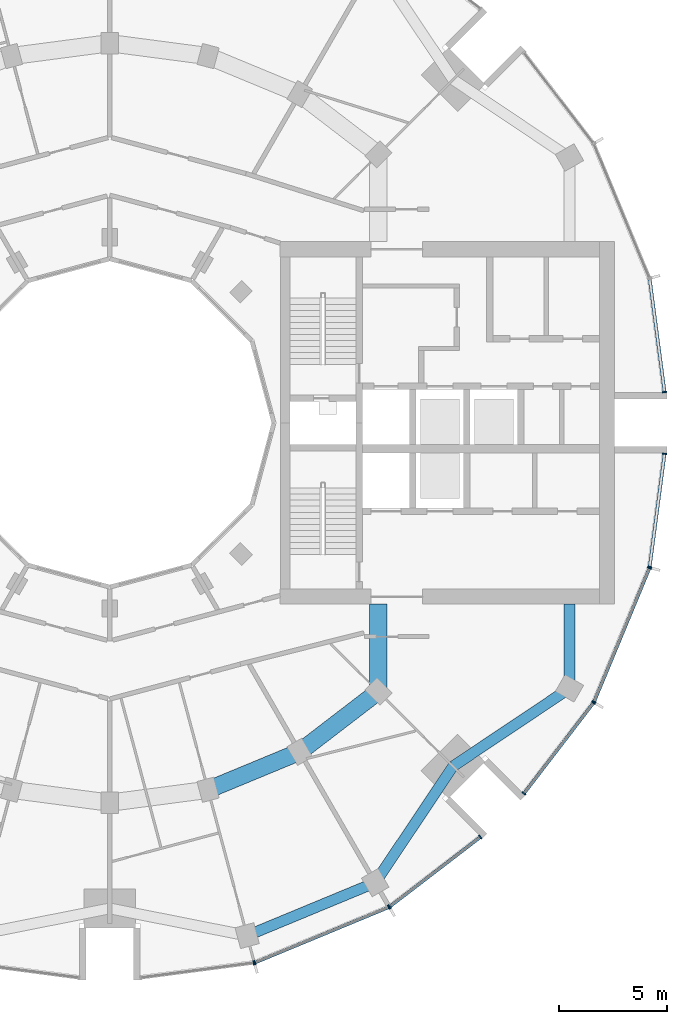
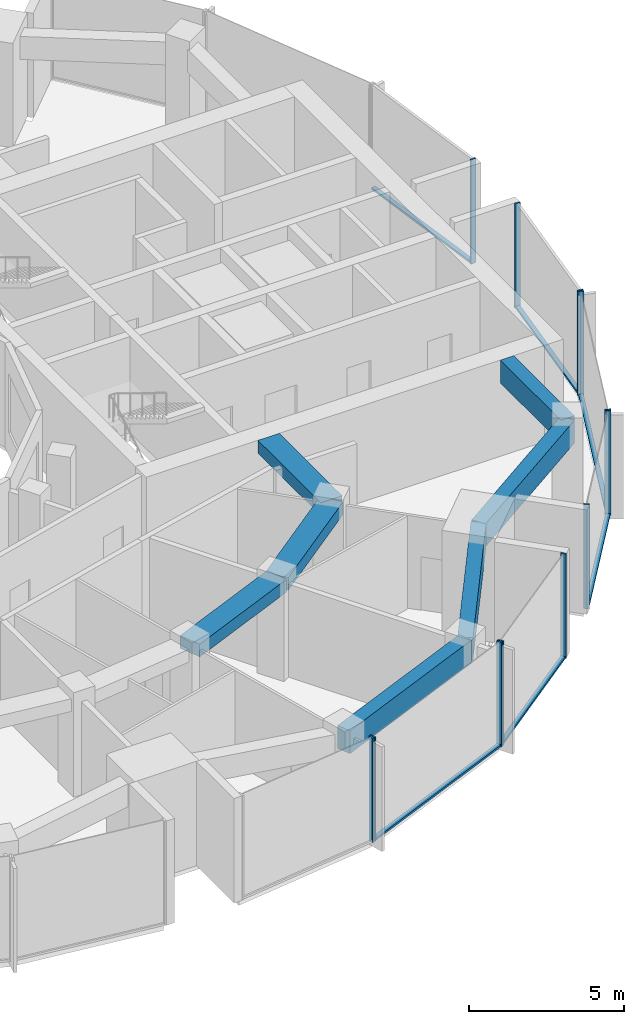
# One storey, part 4 of 15: 18 members, 7 beams, 7 elements without a shape of their own.
"""IFC4 building model written with IfcOpenShell, lengths in metres."""

from ifc_helpers import new_model, si_unit, direction, frame, origin, origin_2d, place, context, subcontext, project, spatial, rectangle, extrude, material, layer, layer_set, material_profile, profile_set, type_object, element, aggregate, save


model = new_model("IFC4")

# Units and contexts
model_context = context("Model", 3, precision=1e-05, world=origin(), true_north=direction((0.0, 1.0)))
body_context = subcontext(model_context, "Body", "Model", "MODEL_VIEW")
ifc_project = project(units=[si_unit("LENGTHUNIT", "METRE"), si_unit("AREAUNIT", "SQUARE_METRE"), si_unit("VOLUMEUNIT", "CUBIC_METRE"), si_unit("PLANEANGLEUNIT", "RADIAN"), si_unit("MASSUNIT", "GRAM", prefix="KILO")], contexts=[model_context])

# Site, building, storey
site_placement = place(None, origin())
site = spatial("IfcSite", under=ifc_project, at=site_placement, CompositionType="ELEMENT")
building_placement = place(site_placement, origin())
building = spatial("IfcBuilding", under=site, at=building_placement, Name="Torre Brocal", CompositionType="ELEMENT")
storey_placement = place(building_placement, frame((0.0, 0.0, 165.89990234375)))
storey = spatial("IfcBuildingStorey", under=building, at=storey_placement, Name="L38", CompositionType="ELEMENT", Elevation=165.89990234375)

# Curtain wall, member
ifc_material_1 = material(Name="Aluminium and glass", Category="aluminium")
ifc_layer_1 = layer(ifc_material_1, 0.199951171875)
ifc_layer_set_1 = layer_set([ifc_layer_1], Name="Aluminium and glass")
curtain_wall_type_1 = type_object("IfcCurtainWallType", Name="CW-1 CURTAIN WALL 4100 HIGH", PredefinedType="NOTDEFINED", material=ifc_layer_set_1)
curtain_wall_1_placement = place(storey_placement, origin())
curtain_wall_1 = element("IfcCurtainWall", 1, at=curtain_wall_1_placement, inside=storey, type_object=curtain_wall_type_1, Name="CW-1 RUN 19", PredefinedType="NOTDEFINED")
ifc_material_2 = material(Name="Aluminium, dark anodised", Category="aluminium")
ifc_material_profile_1 = material_profile(ifc_material_2, rectangle(XDim=0.199951171875, YDim=0.06005859375, at=origin_2d()), Name="CW-1 MULLION 60X200")
ifc_profile_set_1 = profile_set([ifc_material_profile_1], Name="Aluminium, dark anodised")
member_type_1 = type_object("IfcMemberType", Name="CW-1 MULLION 60X200", PredefinedType="MULLION", material=ifc_profile_set_1)
member_1_placement = place(storey_placement, frame((86.67333984375, 49.9794921875, 0.0), z_axis=(0.0, 0.0, 1.0), x_axis=(-0.13052619222, 0.991444861374, 0.0)))
member_1 = element("IfcMember", 2, at=member_1_placement, type_object=member_type_1, Name="CW1-4 mullion 2", PredefinedType="MULLION", context=body_context, shape_type="SweptSolid", body=[
    extrude(rectangle(XDim=0.199951171875, YDim=0.06005859375, at=origin_2d()), origin(), (0.0, 0.0, 1.0), 4.10009765625),
])
aggregate(curtain_wall_1, [member_1])

# Curtain wall, members
curtain_wall_2_placement = place(storey_placement, origin())
curtain_wall_2 = element("IfcCurtainWall", 3, at=curtain_wall_2_placement, inside=storey, type_object=curtain_wall_type_1, Name="CW-1 RUN 20", PredefinedType="NOTDEFINED")
member_2_placement = place(storey_placement, frame((86.73095703125, 49.994873046875, 0.0), z_axis=(0.0, 0.0, 1.0), x_axis=(-0.382683432333, 0.923879532525, 0.0)))
member_2 = element("IfcMember", 4, at=member_2_placement, type_object=member_type_1, Name="CW1-4 mullion 1", PredefinedType="MULLION", context=body_context, shape_type="SweptSolid", body=[
    extrude(rectangle(XDim=0.199951171875, YDim=0.06005859375, at=origin_2d()), origin(), (0.0, 0.0, 1.0), 4.10009765625),
])
member_3_placement = place(storey_placement, frame((92.921875, 52.559326171875, 0.0), z_axis=(0.0, 0.0, 1.0), x_axis=(-0.382683432333, 0.923879532525, 0.0)))
member_3 = element("IfcMember", 5, at=member_3_placement, type_object=member_type_1, Name="CW1-4 mullion 2", PredefinedType="MULLION", context=body_context, shape_type="SweptSolid", body=[
    extrude(rectangle(XDim=0.199951171875, YDim=0.06005859375, at=origin_2d()), origin(), (0.0, 0.0, 1.0), 4.10009765625),
])

curtain_wall_3_placement = place(storey_placement, origin())
curtain_wall_3 = element("IfcCurtainWall", 6, at=curtain_wall_3_placement, inside=storey, type_object=curtain_wall_type_1, Name="CW-1 RUN 21", PredefinedType="NOTDEFINED")
member_4_placement = place(storey_placement, frame((92.973388671875, 52.5888671875, 0.0), z_axis=(0.0, 0.0, 1.0), x_axis=(-0.60876142905, 0.793353340259, 0.0)))
member_4 = element("IfcMember", 7, at=member_4_placement, type_object=member_type_1, Name="CW1-4 mullion 1", PredefinedType="MULLION", context=body_context, shape_type="SweptSolid", body=[
    extrude(rectangle(XDim=0.199951171875, YDim=0.06005859375, at=origin_2d()), origin(), (0.0, 0.0, 1.0), 4.10009765625),
])
member_5_placement = place(storey_placement, frame((97.16943359375, 55.80859375, 0.0), z_axis=(0.0, 0.0, 1.0), x_axis=(-0.60876142905, 0.793353340259, 0.0)))
member_5 = element("IfcMember", 8, at=member_5_placement, type_object=member_type_1, Name="CW1-4 mullion 2", PredefinedType="MULLION", context=body_context, shape_type="SweptSolid", body=[
    extrude(rectangle(XDim=0.199951171875, YDim=0.06005859375, at=origin_2d()), origin(), (0.0, 0.0, 1.0), 4.10009765625),
])

curtain_wall_4_placement = place(storey_placement, origin())
curtain_wall_4 = element("IfcCurtainWall", 9, at=curtain_wall_4_placement, inside=storey, type_object=curtain_wall_type_1, Name="CW-1 RUN 22", PredefinedType="NOTDEFINED")
member_6_placement = place(storey_placement, frame((99.19140625, 57.83056640625, 0.0), z_axis=(0.0, 0.0, 1.0), x_axis=(-0.793353340259, 0.60876142905, 0.0)))
member_6 = element("IfcMember", 10, at=member_6_placement, type_object=member_type_1, Name="CW1-4 mullion 1", PredefinedType="MULLION", context=body_context, shape_type="SweptSolid", body=[
    extrude(rectangle(XDim=0.199951171875, YDim=0.06005859375, at=origin_2d()), origin(), (0.0, 0.0, 1.0), 4.10009765625),
])
member_7_placement = place(storey_placement, frame((102.4111328125, 62.026611328125, 0.0), z_axis=(0.0, 0.0, 1.0), x_axis=(-0.793353340259, 0.60876142905, 0.0)))
member_7 = element("IfcMember", 11, at=member_7_placement, type_object=member_type_1, Name="CW1-4 mullion 2", PredefinedType="MULLION", context=body_context, shape_type="SweptSolid", body=[
    extrude(rectangle(XDim=0.199951171875, YDim=0.06005859375, at=origin_2d()), origin(), (0.0, 0.0, 1.0), 4.10009765625),
])

curtain_wall_5_placement = place(storey_placement, origin())
curtain_wall_5 = element("IfcCurtainWall", 12, at=curtain_wall_5_placement, inside=storey, type_object=curtain_wall_type_1, Name="CW-1 RUN 23", PredefinedType="NOTDEFINED")
member_8_placement = place(storey_placement, frame((102.440673828125, 62.078125, 0.0), z_axis=(0.0, 0.0, 1.0), x_axis=(-0.923879532525, 0.382683432333, 0.0)))
member_8 = element("IfcMember", 13, at=member_8_placement, type_object=member_type_1, Name="CW1-4 mullion 1", PredefinedType="MULLION", context=body_context, shape_type="SweptSolid", body=[
    extrude(rectangle(XDim=0.199951171875, YDim=0.06005859375, at=origin_2d()), origin(), (0.0, 0.0, 1.0), 4.10009765625),
])
member_9_placement = place(storey_placement, frame((105.005126953125, 68.26904296875, 0.0), z_axis=(0.0, 0.0, 1.0), x_axis=(-0.923879532525, 0.382683432333, 0.0)))
member_9 = element("IfcMember", 14, at=member_9_placement, type_object=member_type_1, Name="CW1-4 mullion 2", PredefinedType="MULLION", context=body_context, shape_type="SweptSolid", body=[
    extrude(rectangle(XDim=0.199951171875, YDim=0.06005859375, at=origin_2d()), origin(), (0.0, 0.0, 1.0), 4.10009765625),
])

# Member
ifc_material_3 = material(Name="Aluminium, dark anodised", Category="aluminium")
ifc_material_profile_2 = material_profile(ifc_material_3, rectangle(XDim=0.159912109375, YDim=0.080078125, at=origin_2d()), Name="CW-1 TRANSOM 160X80")
ifc_profile_set_2 = profile_set([ifc_material_profile_2], Name="Aluminium, dark anodised")
member_type_2 = type_object("IfcMemberType", Name="CW-1 TRANSOM 160X80", PredefinedType="USERDEFINED", material=ifc_profile_set_2)
member_10_placement = place(storey_placement, frame((86.758544921875, 50.00634765625, 0.0400390625), z_axis=(0.923887344364, 0.38266457234, 0.0), x_axis=(-0.38266457234, 0.923887344364, 0.0)))
member_10 = element("IfcMember", 15, at=member_10_placement, type_object=member_type_2, Name="CW1-4 transom 1.1", ObjectType="TRANSOM", PredefinedType="USERDEFINED", context=body_context, shape_type="SweptSolid", body=[
    extrude(rectangle(XDim=0.159912109375, YDim=0.080078125, at=origin_2d()), origin(), (0.0, 0.0, 1.0), 6.640869140625),
])

aggregate(curtain_wall_2, [member_2, member_3, member_10])

member_11_placement = place(storey_placement, frame((92.9970703125, 52.607177734375, 0.0400390625), z_axis=(0.79336281513, 0.60874908096, 0.0), x_axis=(-0.60874908096, 0.79336281513, 0.0)))
member_11 = element("IfcMember", 16, at=member_11_placement, type_object=member_type_2, Name="CW1-4 transom 1.1", ObjectType="TRANSOM", PredefinedType="USERDEFINED", context=body_context, shape_type="SweptSolid", body=[
    extrude(rectangle(XDim=0.159912109375, YDim=0.080078125, at=origin_2d()), origin(), (0.0, 0.0, 1.0), 5.22900390625),
])

aggregate(curtain_wall_3, [member_4, member_5, member_11])

member_12_placement = place(storey_placement, frame((99.209716796875, 57.8544921875, 0.0400390625), z_axis=(0.60874908096, 0.79336281513, 0.0), x_axis=(-0.79336281513, 0.60874908096, 0.0)))
member_12 = element("IfcMember", 17, at=member_12_placement, type_object=member_type_2, Name="CW1-4 transom 1.1", ObjectType="TRANSOM", PredefinedType="USERDEFINED", context=body_context, shape_type="SweptSolid", body=[
    extrude(rectangle(XDim=0.159912109375, YDim=0.080078125, at=origin_2d()), origin(), (0.0, 0.0, 1.0), 5.22900390625),
])

aggregate(curtain_wall_4, [member_6, member_7, member_12])

member_13_placement = place(storey_placement, frame((102.452392578125, 62.10595703125, 0.0400390625), z_axis=(0.38266457234, 0.923887344364, 0.0), x_axis=(-0.923887344364, 0.38266457234, 0.0)))
member_13 = element("IfcMember", 18, at=member_13_placement, type_object=member_type_2, Name="CW1-4 transom 1.1", ObjectType="TRANSOM", PredefinedType="USERDEFINED", context=body_context, shape_type="SweptSolid", body=[
    extrude(rectangle(XDim=0.159912109375, YDim=0.080078125, at=origin_2d()), origin(), (0.0, 0.0, 1.0), 6.640869140625),
])

aggregate(curtain_wall_5, [member_8, member_9, member_13])

# Curtain wall, member
ifc_material_4 = material(Name="Aluminium and glass", Category="aluminium")
ifc_layer_2 = layer(ifc_material_4, 0.199951171875)
ifc_layer_set_2 = layer_set([ifc_layer_2], Name="Aluminium and glass")
curtain_wall_type_2 = type_object("IfcCurtainWallType", Name="CW-1B CURTAIN WALL 4100 HIGH", PredefinedType="NOTDEFINED", material=ifc_layer_set_2)
curtain_wall_6_placement = place(storey_placement, origin())
curtain_wall_6 = element("IfcCurtainWall", 19, at=curtain_wall_6_placement, inside=storey, type_object=curtain_wall_type_2, Name="CW-1B RUN 1", PredefinedType="NOTDEFINED")
ifc_material_5 = material(Name="Aluminium, dark anodised", Category="aluminium")
ifc_material_profile_3 = material_profile(ifc_material_5, rectangle(XDim=0.199951171875, YDim=0.06005859375, at=origin_2d()), Name="CW-1B MULLION 60X200")
ifc_profile_set_3 = profile_set([ifc_material_profile_3], Name="Aluminium, dark anodised")
member_type_3 = type_object("IfcMemberType", Name="CW-1B MULLION 60X200", PredefinedType="MULLION", material=ifc_profile_set_3)
member_14_placement = place(storey_placement, frame((105.7109375, 76.4296875, 0.0), z_axis=(0.0, 0.0, 1.0), x_axis=(-0.991444861374, -0.13052619222, 0.0)))
member_14 = element("IfcMember", 20, at=member_14_placement, type_object=member_type_3, Name="CW1B-4 mullion 1", PredefinedType="MULLION", context=body_context, shape_type="SweptSolid", body=[
    extrude(rectangle(XDim=0.199951171875, YDim=0.06005859375, at=origin_2d()), origin(), (0.0, 0.0, 1.0), 4.10009765625),
])

# Curtain wall, members
curtain_wall_7_placement = place(storey_placement, origin())
curtain_wall_7 = element("IfcCurtainWall", 21, at=curtain_wall_7_placement, inside=storey, type_object=curtain_wall_type_2, Name="CW-1B RUN 24", PredefinedType="NOTDEFINED")
member_15_placement = place(storey_placement, frame((105.0205078125, 68.32666015625, 0.0), z_axis=(0.0, 0.0, 1.0), x_axis=(-0.991444861374, 0.13052619222, 0.0)))
member_15 = element("IfcMember", 22, at=member_15_placement, type_object=member_type_3, Name="CW1B-4 mullion 1", PredefinedType="MULLION", context=body_context, shape_type="SweptSolid", body=[
    extrude(rectangle(XDim=0.199951171875, YDim=0.06005859375, at=origin_2d()), origin(), (0.0, 0.0, 1.0), 4.10009765625),
])
member_16_placement = place(storey_placement, frame((105.7109375, 73.5703125, 0.0), z_axis=(0.0, 0.0, 1.0), x_axis=(-0.991444861374, 0.13052619222, 0.0)))
member_16 = element("IfcMember", 23, at=member_16_placement, type_object=member_type_3, Name="CW1B-4 mullion 2", PredefinedType="MULLION", context=body_context, shape_type="SweptSolid", body=[
    extrude(rectangle(XDim=0.199951171875, YDim=0.06005859375, at=origin_2d()), origin(), (0.0, 0.0, 1.0), 4.10009765625),
])

# Member
ifc_material_6 = material(Name="Aluminium, dark anodised", Category="aluminium")
ifc_material_profile_4 = material_profile(ifc_material_6, rectangle(XDim=0.159912109375, YDim=0.080078125, at=origin_2d()), Name="CW-1B TRANSOM 160X80")
ifc_profile_set_4 = profile_set([ifc_material_profile_4], Name="Aluminium, dark anodised")
member_type_4 = type_object("IfcMemberType", Name="CW-1B TRANSOM 160X80", PredefinedType="USERDEFINED", material=ifc_profile_set_4)
member_17_placement = place(storey_placement, frame((105.70703125, 76.45947265625, 0.0400390625), z_axis=(-0.130542677827, 0.991442690863, 0.0), x_axis=(-0.991442690863, -0.130542677827, 0.0)))
member_17 = element("IfcMember", 24, at=member_17_placement, type_object=member_type_4, Name="CW1B-4 transom 1.1", ObjectType="TRANSOM", PredefinedType="USERDEFINED", context=body_context, shape_type="SweptSolid", body=[
    extrude(rectangle(XDim=0.159912109375, YDim=0.080078125, at=origin_2d()), origin(), (0.0, 0.0, 1.0), 5.22900390625),
])

aggregate(curtain_wall_6, [member_14, member_17])

member_18_placement = place(storey_placement, frame((105.0244140625, 68.356201171875, 0.0400390625), z_axis=(0.130542677827, 0.991442690863, 0.0), x_axis=(-0.991442690863, 0.130542677827, 0.0)))
member_18 = element("IfcMember", 25, at=member_18_placement, type_object=member_type_4, Name="CW1B-4 transom 1.1", ObjectType="TRANSOM", PredefinedType="USERDEFINED", context=body_context, shape_type="SweptSolid", body=[
    extrude(rectangle(XDim=0.159912109375, YDim=0.080078125, at=origin_2d()), origin(), (0.0, 0.0, 1.0), 5.22900390625),
])

aggregate(curtain_wall_7, [member_15, member_16, member_18])

# Beams
ifc_material_7 = material(Name="Concrete C50", Category="concrete")
ifc_material_profile_5 = material_profile(ifc_material_7, rectangle(XDim=0.800048828125, YDim=0.5, at=origin_2d()), Name="RC 800X500")
ifc_profile_set_5 = profile_set([ifc_material_profile_5], Name="Concrete C50")
beam_type_1 = type_object("IfcBeamType", Name="RC BEAM 800X500 C50 TOP 3780", PredefinedType="BEAM", material=ifc_profile_set_5)
beam_1_placement = place(storey_placement, frame((84.55517578125, 57.999755859375, 3.530029296875), z_axis=(0.923878240166, 0.382686552348, 0.0), x_axis=(-0.382686552348, 0.923878240166, 0.0)))
element("IfcBeam", 26, at=beam_1_placement, inside=storey, type_object=beam_type_1, Name="Beam BT-32", PredefinedType="BEAM", context=body_context, shape_type="SweptSolid", body=[
    extrude(rectangle(XDim=0.800048828125, YDim=0.5, at=origin_2d()), origin(), (0.0, 0.0, 1.0), 4.5947265625),
])
beam_2_placement = place(storey_placement, frame((88.800048828125, 59.758056640625, 3.530029296875), z_axis=(0.793358265959, 0.6087550097, 0.0), x_axis=(-0.6087550097, 0.793358265959, 0.0)))
element("IfcBeam", 27, at=beam_2_placement, inside=storey, type_object=beam_type_1, Name="Beam BT-32", PredefinedType="BEAM", context=body_context, shape_type="SweptSolid", body=[
    extrude(rectangle(XDim=0.800048828125, YDim=0.5, at=origin_2d()), origin(), (0.0, 0.0, 1.0), 4.594482421875),
])
beam_3_placement = place(storey_placement, frame((92.445068359375, 62.554931640625, 3.530029296875), z_axis=(0.0, 1.0, 0.0), x_axis=(-1.0, 0.0, 0.0)))
element("IfcBeam", 28, at=beam_3_placement, inside=storey, type_object=beam_type_1, Name="Beam BT-32", PredefinedType="BEAM", context=body_context, shape_type="SweptSolid", body=[
    extrude(rectangle(XDim=0.800048828125, YDim=0.5, at=origin_2d()), origin(), (0.0, 0.0, 1.0), 4.045166015625),
])
ifc_material_8 = material(Name="Concrete C50", Category="concrete")
ifc_material_profile_6 = material_profile(ifc_material_8, rectangle(XDim=0.5, YDim=0.89990234375, at=origin_2d()), Name="RC 500X900")
ifc_profile_set_6 = profile_set([ifc_material_profile_6], Name="Concrete C50")
beam_type_2 = type_object("IfcBeamType", Name="RC SPANDREL BEAM 500X900 C50 TOP 3780", PredefinedType="SPANDREL", material=ifc_profile_set_6)
beam_4_placement = place(storey_placement, frame((86.366943359375, 51.23828125, 3.330078125), z_axis=(0.923882462513, 0.382676358639, 0.0), x_axis=(-0.382676358639, 0.923882462513, 0.0)))
element("IfcBeam", 29, at=beam_4_placement, inside=storey, type_object=beam_type_2, Name="Beam BT-33", PredefinedType="SPANDREL", context=body_context, shape_type="SweptSolid", body=[
    extrude(rectangle(XDim=0.5, YDim=0.89990234375, at=origin_2d()), origin(), (0.0, 0.0, 1.0), 6.421875),
])
for number, where, z_axis, x_axis, name in (
    (30, (92.300048828125, 53.69580078125, 3.330078125), (0.556157602282, 0.831076844476, 0.0), (-0.831076844476, 0.556157602282, 0.0), "Beam BT-33"),
    (31, (95.909912109375, 59.090087890625, 3.330078125), (0.831076844476, 0.556157602282, 0.0), (-0.556157602282, 0.831076844476, 0.0), "Beam BT-33"),
):
    element("IfcBeam", number, at=place(storey_placement, frame(where, z_axis=z_axis, x_axis=x_axis)), inside=storey, type_object=beam_type_2, Name=name, PredefinedType="SPANDREL", context=body_context, shape_type="SweptSolid", body=[
        extrude(rectangle(XDim=0.5, YDim=0.89990234375, at=origin_2d()), origin(), (0.0, 0.0, 1.0), 6.49072265625),
    ])
beam_5_placement = place(storey_placement, frame((101.30419921875, 62.699951171875, 3.330078125), z_axis=(0.0, 1.0, 0.0), x_axis=(-1.0, 0.0, 0.0)))
element("IfcBeam", 32, at=beam_5_placement, inside=storey, type_object=beam_type_2, Name="Beam BT-33", PredefinedType="SPANDREL", context=body_context, shape_type="SweptSolid", body=[
    extrude(rectangle(XDim=0.5, YDim=0.89990234375, at=origin_2d()), origin(), (0.0, 0.0, 1.0), 3.900146484375),
])

save(model, "model.ifc")
